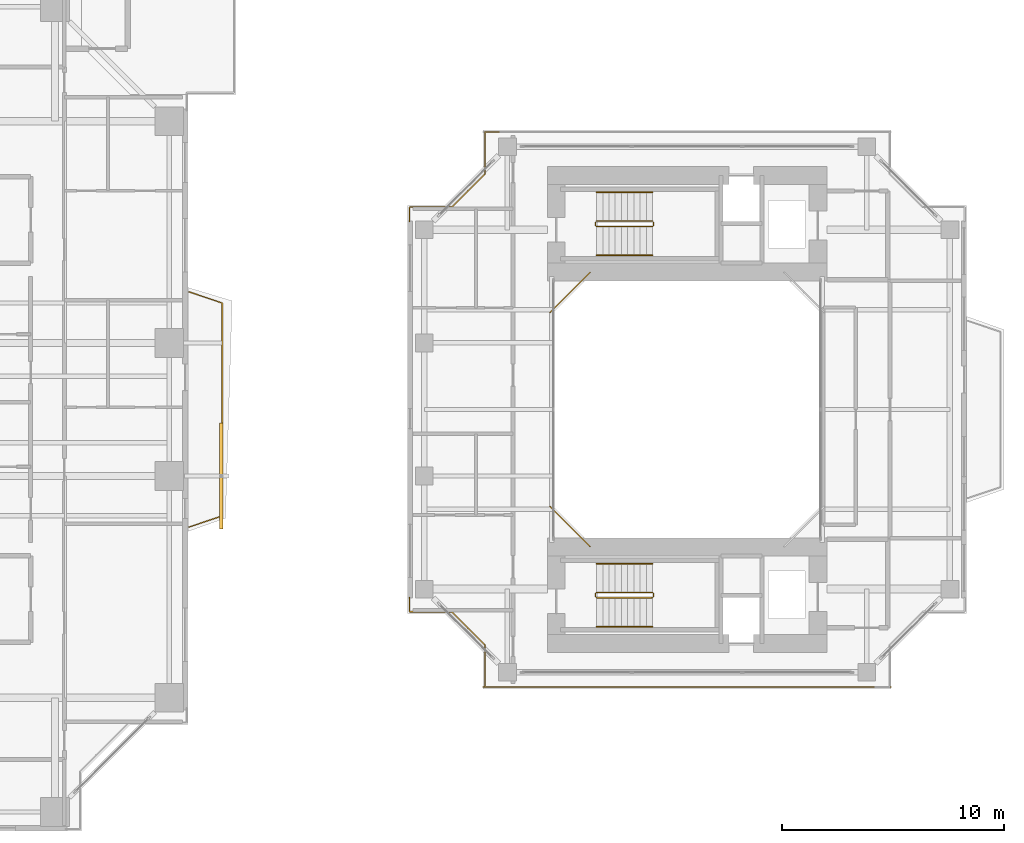
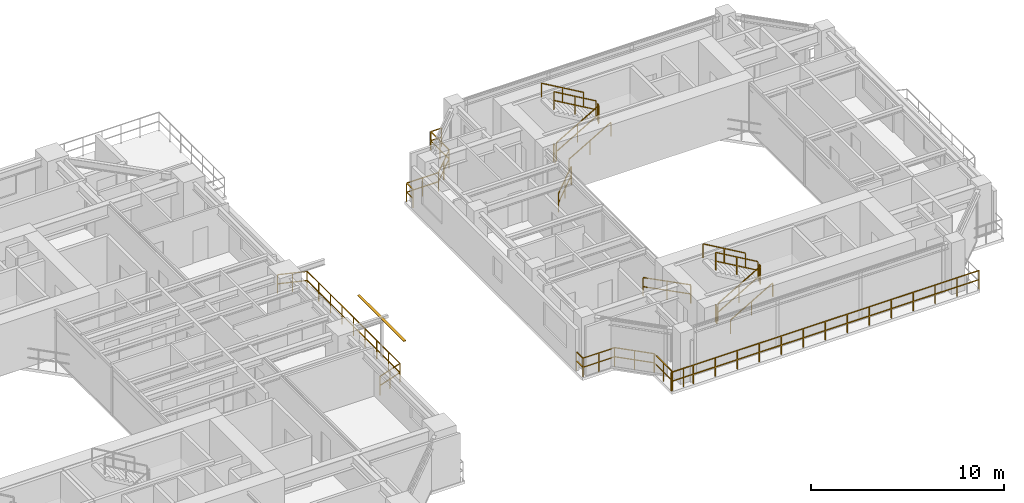
# One storey, part 21 of 23: 18 railings, 1 shading device.
"""IFC4 building model written with IfcOpenShell, lengths in metres."""

from ifc_helpers import new_model, si_unit, direction, frame, origin, origin_2d, place, context, subcontext, project, spatial, rectangle, extrude, source, transform, mapped, material, material_profile, profile_set, type_object, element, save


model = new_model("IFC4")

# Units and contexts
model_context = context("Model", 3, precision=1e-05, world=origin(), true_north=direction((0.0, 1.0)))
body_context = subcontext(model_context, "Body", "Model", "MODEL_VIEW")
ifc_project = project(units=[si_unit("LENGTHUNIT", "METRE"), si_unit("AREAUNIT", "SQUARE_METRE"), si_unit("VOLUMEUNIT", "CUBIC_METRE"), si_unit("PLANEANGLEUNIT", "RADIAN"), si_unit("MASSUNIT", "GRAM", prefix="KILO"), si_unit("THERMODYNAMICTEMPERATUREUNIT", "KELVIN"), si_unit("POWERUNIT", "WATT")], contexts=[model_context])

# Site, building, storey
site_placement = place(None, origin())
site = spatial("IfcSite", under=ifc_project, at=site_placement, CompositionType="ELEMENT")
building_placement = place(site_placement, origin())
building = spatial("IfcBuilding", under=site, at=building_placement, Name="Qiaomeng Ring Towers", CompositionType="ELEMENT")
storey_placement = place(building_placement, frame((0.0, 0.0, 82.75)))
storey = spatial("IfcBuildingStorey", under=building, at=storey_placement, Name="L23", CompositionType="ELEMENT", Elevation=82.75)

# Railings
ifc_material_1 = material(Name="Low-E pale-green laminated safety glass", Category="glass")
railing_type_1 = type_object("IfcRailingType", Name="ARC-RL-BAL1", PredefinedType="BALUSTRADE", material=ifc_material_1)
railing_1_placement = place(storey_placement, frame((38.050048828125, 17.699951171875, 0.0)))
element("IfcRailing", 1, at=railing_1_placement, inside=storey, type_object=railing_type_1, Name="L23 Balustrade ARC-BAL-L23-T1-E", PredefinedType="BALUSTRADE", context=body_context, shape_type="SweptSolid", body=[
    extrude(rectangle(XDim=0.048095703125, YDim=0.048095703125, at=origin_2d()), frame((0.0, 0.0, 1.17578125), z_axis=(0.948044476945, 0.318137815629, 0.0), x_axis=(-0.318137815629, 0.948044476945, 0.0)), (0.0, 0.0, 1.0), 1.571533203125),
    extrude(rectangle(XDim=0.048095703125, YDim=0.048095703125, at=origin_2d()), frame((0.0, 0.0, 0.60009765625), z_axis=(0.948044476945, 0.318137815629, 0.0), x_axis=(-0.318137815629, 0.948044476945, 0.0)), (0.0, 0.0, 1.0), 1.571533203125),
    extrude(rectangle(XDim=0.048095703125, YDim=0.048095703125, at=origin_2d()), frame((1.489990234375, 0.5, 1.17578125), z_axis=(0.0, 1.0, 0.0), x_axis=(-1.0, 0.0, 0.0)), (0.0, 0.0, 1.0), 9.60009765625),
    extrude(rectangle(XDim=0.048095703125, YDim=0.048095703125, at=origin_2d()), frame((1.489990234375, 0.5, 0.60009765625), z_axis=(0.0, 1.0, 0.0), x_axis=(-1.0, 0.0, 0.0)), (0.0, 0.0, 1.0), 9.60009765625),
    extrude(rectangle(XDim=0.048095703125, YDim=0.048095703125, at=origin_2d()), frame((1.489990234375, 10.10009765625, 1.17578125), z_axis=(-0.948044476945, 0.318137815629, 0.0), x_axis=(-0.318137815629, -0.948044476945, 0.0)), (0.0, 0.0, 1.0), 1.571533203125),
    extrude(rectangle(XDim=0.048095703125, YDim=0.048095703125, at=origin_2d()), frame((1.489990234375, 10.10009765625, 0.60009765625), z_axis=(-0.948044476945, 0.318137815629, 0.0), x_axis=(-0.318137815629, -0.948044476945, 0.0)), (0.0, 0.0, 1.0), 1.571533203125),
    extrude(rectangle(XDim=0.0419921875, YDim=0.0419921875, at=origin_2d()), origin(), (0.0, 0.0, 1.0), 1.15185546875),
    extrude(rectangle(XDim=0.0419921875, YDim=0.0419921875, at=origin_2d()), frame((0.7451171875, 0.25, 0.0)), (0.0, 0.0, 1.0), 1.15185546875),
    extrude(rectangle(XDim=0.0419921875, YDim=0.0419921875, at=origin_2d()), frame((1.489990234375, 0.5, 0.0)), (0.0, 0.0, 1.0), 1.15185546875),
    extrude(rectangle(XDim=0.0419921875, YDim=0.0419921875, at=origin_2d()), frame((1.489990234375, 1.699951171875, 0.0)), (0.0, 0.0, 1.0), 1.15185546875),
    extrude(rectangle(XDim=0.0419921875, YDim=0.0419921875, at=origin_2d()), frame((1.489990234375, 2.89990234375, 0.0)), (0.0, 0.0, 1.0), 1.15185546875),
    extrude(rectangle(XDim=0.0419921875, YDim=0.0419921875, at=origin_2d()), frame((1.489990234375, 4.10009765625, 0.0)), (0.0, 0.0, 1.0), 1.15185546875),
    extrude(rectangle(XDim=0.0419921875, YDim=0.0419921875, at=origin_2d()), frame((1.489990234375, 5.300048828125, 0.0)), (0.0, 0.0, 1.0), 1.15185546875),
    extrude(rectangle(XDim=0.0419921875, YDim=0.0419921875, at=origin_2d()), frame((1.489990234375, 6.5, 0.0)), (0.0, 0.0, 1.0), 1.15185546875),
    extrude(rectangle(XDim=0.0419921875, YDim=0.0419921875, at=origin_2d()), frame((1.489990234375, 7.7001953125, 0.0)), (0.0, 0.0, 1.0), 1.15185546875),
    extrude(rectangle(XDim=0.0419921875, YDim=0.0419921875, at=origin_2d()), frame((1.489990234375, 8.900146484375, 0.0)), (0.0, 0.0, 1.0), 1.15185546875),
    extrude(rectangle(XDim=0.0419921875, YDim=0.0419921875, at=origin_2d()), frame((1.489990234375, 10.10009765625, 0.0)), (0.0, 0.0, 1.0), 1.15185546875),
    extrude(rectangle(XDim=0.0419921875, YDim=0.0419921875, at=origin_2d()), frame((0.7451171875, 10.35009765625, 0.0)), (0.0, 0.0, 1.0), 1.15185546875),
    extrude(rectangle(XDim=0.0419921875, YDim=0.0419921875, at=origin_2d()), frame((0.0, 10.60009765625, 0.0)), (0.0, 0.0, 1.0), 1.15185546875),
])
railing_2_placement = place(storey_placement, frame((56.1201171875, 29.179931640625, 0.0)))
element("IfcRailing", 2, at=railing_2_placement, inside=storey, type_object=railing_type_1, Name="L23 Balustrade ARC-BAL-WELL2-L23-3", PredefinedType="BALUSTRADE", context=body_context, shape_type="SweptSolid", body=[
    extrude(rectangle(XDim=0.048095703125, YDim=0.048095703125, at=origin_2d()), frame((0.0, 0.0, 1.17578125), z_axis=(-0.707106781187, -0.707106781187, 0.0), x_axis=(0.707106781187, -0.707106781187, 0.0)), (0.0, 0.0, 1.0), 2.545654296875),
    extrude(rectangle(XDim=0.048095703125, YDim=0.048095703125, at=origin_2d()), frame((0.0, 0.0, 0.60009765625), z_axis=(-0.707106781187, -0.707106781187, 0.0), x_axis=(0.707106781187, -0.707106781187, 0.0)), (0.0, 0.0, 1.0), 2.545654296875),
    extrude(rectangle(XDim=0.0419921875, YDim=0.0419921875, at=origin_2d()), origin(), (0.0, 0.0, 1.0), 1.15185546875),
    extrude(rectangle(XDim=0.0419921875, YDim=0.0419921875, at=origin_2d()), frame((-0.89990234375, -0.89990234375, 0.0)), (0.0, 0.0, 1.0), 1.15185546875),
    extrude(rectangle(XDim=0.0419921875, YDim=0.0419921875, at=origin_2d()), frame((-1.800048828125, -1.800048828125, 0.0)), (0.0, 0.0, 1.0), 1.15185546875),
])
railing_3_placement = place(storey_placement, frame((54.320068359375, 18.6201171875, 0.0)))
element("IfcRailing", 3, at=railing_3_placement, inside=storey, type_object=railing_type_1, Name="L23 Balustrade ARC-BAL-WELL2-L23-4", PredefinedType="BALUSTRADE", context=body_context, shape_type="SweptSolid", body=[
    extrude(rectangle(XDim=0.048095703125, YDim=0.048095703125, at=origin_2d()), frame((0.0, 0.0, 1.17578125), z_axis=(0.707106781187, -0.707106781187, 0.0), x_axis=(0.707106781187, 0.707106781187, 0.0)), (0.0, 0.0, 1.0), 2.545654296875),
    extrude(rectangle(XDim=0.048095703125, YDim=0.048095703125, at=origin_2d()), frame((0.0, 0.0, 0.60009765625), z_axis=(0.707106781187, -0.707106781187, 0.0), x_axis=(0.707106781187, 0.707106781187, 0.0)), (0.0, 0.0, 1.0), 2.545654296875),
    extrude(rectangle(XDim=0.0419921875, YDim=0.0419921875, at=origin_2d()), origin(), (0.0, 0.0, 1.0), 1.15185546875),
    extrude(rectangle(XDim=0.0419921875, YDim=0.0419921875, at=origin_2d()), frame((0.89990234375, -0.89990234375, 0.0)), (0.0, 0.0, 1.0), 1.15185546875),
    extrude(rectangle(XDim=0.0419921875, YDim=0.0419921875, at=origin_2d()), frame((1.800048828125, -1.800048828125, 0.0)), (0.0, 0.0, 1.0), 1.15185546875),
])
railing_4_placement = place(storey_placement, frame((52.030029296875, 35.52001953125, 0.0)))
element("IfcRailing", 4, at=railing_4_placement, inside=storey, type_object=railing_type_1, Name="L23 Balustrade ARC-BAL-NOTCH2-L23-NW", PredefinedType="BALUSTRADE", context=body_context, shape_type="SweptSolid", body=[
    extrude(rectangle(XDim=0.048095703125, YDim=0.048095703125, at=origin_2d()), frame((0.0, 0.0, 1.17578125), z_axis=(-1.0, 0.0, 0.0), x_axis=(0.0, -1.0, 0.0)), (0.0, 0.0, 1.0), 0.650146484375),
    extrude(rectangle(XDim=0.048095703125, YDim=0.048095703125, at=origin_2d()), frame((0.0, 0.0, 0.60009765625), z_axis=(-1.0, 0.0, 0.0), x_axis=(0.0, -1.0, 0.0)), (0.0, 0.0, 1.0), 0.650146484375),
    extrude(rectangle(XDim=0.048095703125, YDim=0.048095703125, at=origin_2d()), frame((-0.650146484375, 0.0, 1.17578125), z_axis=(0.0, -1.0, 0.0), x_axis=(1.0, 0.0, 0.0)), (0.0, 0.0, 1.0), 1.89990234375),
    extrude(rectangle(XDim=0.048095703125, YDim=0.048095703125, at=origin_2d()), frame((-0.650146484375, 0.0, 0.60009765625), z_axis=(0.0, -1.0, 0.0), x_axis=(1.0, 0.0, 0.0)), (0.0, 0.0, 1.0), 1.89990234375),
    extrude(rectangle(XDim=0.048095703125, YDim=0.048095703125, at=origin_2d()), frame((-0.650146484375, -1.89990234375, 1.17578125), z_axis=(-0.707106781187, -0.707106781187, 0.0), x_axis=(0.707106781187, -0.707106781187, 0.0)), (0.0, 0.0, 1.0), 2.121337890625),
    extrude(rectangle(XDim=0.048095703125, YDim=0.048095703125, at=origin_2d()), frame((-0.650146484375, -1.89990234375, 0.60009765625), z_axis=(-0.707106781187, -0.707106781187, 0.0), x_axis=(0.707106781187, -0.707106781187, 0.0)), (0.0, 0.0, 1.0), 2.121337890625),
    extrude(rectangle(XDim=0.048095703125, YDim=0.048095703125, at=origin_2d()), frame((-2.150146484375, -3.39990234375, 1.17578125), z_axis=(-1.0, 0.0, 0.0), x_axis=(0.0, -1.0, 0.0)), (0.0, 0.0, 1.0), 1.89990234375),
    extrude(rectangle(XDim=0.048095703125, YDim=0.048095703125, at=origin_2d()), frame((-2.150146484375, -3.39990234375, 0.60009765625), z_axis=(-1.0, 0.0, 0.0), x_axis=(0.0, -1.0, 0.0)), (0.0, 0.0, 1.0), 1.89990234375),
    extrude(rectangle(XDim=0.048095703125, YDim=0.048095703125, at=origin_2d()), frame((-4.050048828125, -3.39990234375, 1.17578125), z_axis=(0.0, -1.0, 0.0), x_axis=(1.0, 0.0, 0.0)), (0.0, 0.0, 1.0), 0.650146484375),
    extrude(rectangle(XDim=0.048095703125, YDim=0.048095703125, at=origin_2d()), frame((-4.050048828125, -3.39990234375, 0.60009765625), z_axis=(0.0, -1.0, 0.0), x_axis=(1.0, 0.0, 0.0)), (0.0, 0.0, 1.0), 0.650146484375),
    extrude(rectangle(XDim=0.0419921875, YDim=0.0419921875, at=origin_2d()), origin(), (0.0, 0.0, 1.0), 1.15185546875),
    extrude(rectangle(XDim=0.0419921875, YDim=0.0419921875, at=origin_2d()), frame((-0.650146484375, 0.0, 0.0)), (0.0, 0.0, 1.0), 1.15185546875),
    extrude(rectangle(XDim=0.0419921875, YDim=0.0419921875, at=origin_2d()), frame((-0.650146484375, -0.949951171875, 0.0)), (0.0, 0.0, 1.0), 1.15185546875),
    extrude(rectangle(XDim=0.0419921875, YDim=0.0419921875, at=origin_2d()), frame((-0.650146484375, -1.89990234375, 0.0)), (0.0, 0.0, 1.0), 1.15185546875),
    extrude(rectangle(XDim=0.0419921875, YDim=0.0419921875, at=origin_2d()), frame((-1.400146484375, -2.64990234375, 0.0)), (0.0, 0.0, 1.0), 1.15185546875),
    extrude(rectangle(XDim=0.0419921875, YDim=0.0419921875, at=origin_2d()), frame((-2.150146484375, -3.39990234375, 0.0)), (0.0, 0.0, 1.0), 1.15185546875),
    extrude(rectangle(XDim=0.0419921875, YDim=0.0419921875, at=origin_2d()), frame((-3.10009765625, -3.39990234375, 0.0)), (0.0, 0.0, 1.0), 1.15185546875),
    extrude(rectangle(XDim=0.0419921875, YDim=0.0419921875, at=origin_2d()), frame((-4.050048828125, -3.39990234375, 0.0)), (0.0, 0.0, 1.0), 1.15185546875),
    extrude(rectangle(XDim=0.0419921875, YDim=0.0419921875, at=origin_2d()), frame((-4.050048828125, -4.050048828125, 0.0)), (0.0, 0.0, 1.0), 1.15185546875),
])
railing_5_placement = place(storey_placement, frame((47.97998046875, 14.530029296875, 0.0)))
element("IfcRailing", 5, at=railing_5_placement, inside=storey, type_object=railing_type_1, Name="L23 Balustrade ARC-BAL-NOTCH2-L23-SW", PredefinedType="BALUSTRADE", context=body_context, shape_type="SweptSolid", body=[
    extrude(rectangle(XDim=0.048095703125, YDim=0.048095703125, at=origin_2d()), frame((0.0, 0.0, 1.17578125), z_axis=(0.0, -1.0, 0.0), x_axis=(1.0, 0.0, 0.0)), (0.0, 0.0, 1.0), 0.650146484375),
    extrude(rectangle(XDim=0.048095703125, YDim=0.048095703125, at=origin_2d()), frame((0.0, 0.0, 0.60009765625), z_axis=(0.0, -1.0, 0.0), x_axis=(1.0, 0.0, 0.0)), (0.0, 0.0, 1.0), 0.650146484375),
    extrude(rectangle(XDim=0.048095703125, YDim=0.048095703125, at=origin_2d()), frame((0.0, -0.650146484375, 1.17578125), z_axis=(1.0, 0.0, 0.0), x_axis=(0.0, 1.0, 0.0)), (0.0, 0.0, 1.0), 1.89990234375),
    extrude(rectangle(XDim=0.048095703125, YDim=0.048095703125, at=origin_2d()), frame((0.0, -0.650146484375, 0.60009765625), z_axis=(1.0, 0.0, 0.0), x_axis=(0.0, 1.0, 0.0)), (0.0, 0.0, 1.0), 1.89990234375),
    extrude(rectangle(XDim=0.048095703125, YDim=0.048095703125, at=origin_2d()), frame((1.89990234375, -0.650146484375, 1.17578125), z_axis=(0.707106781187, -0.707106781187, 0.0), x_axis=(0.707106781187, 0.707106781187, 0.0)), (0.0, 0.0, 1.0), 2.121337890625),
    extrude(rectangle(XDim=0.048095703125, YDim=0.048095703125, at=origin_2d()), frame((1.89990234375, -0.650146484375, 0.60009765625), z_axis=(0.707106781187, -0.707106781187, 0.0), x_axis=(0.707106781187, 0.707106781187, 0.0)), (0.0, 0.0, 1.0), 2.121337890625),
    extrude(rectangle(XDim=0.048095703125, YDim=0.048095703125, at=origin_2d()), frame((3.39990234375, -2.150146484375, 1.17578125), z_axis=(0.0, -1.0, 0.0), x_axis=(1.0, 0.0, 0.0)), (0.0, 0.0, 1.0), 1.89990234375),
    extrude(rectangle(XDim=0.048095703125, YDim=0.048095703125, at=origin_2d()), frame((3.39990234375, -2.150146484375, 0.60009765625), z_axis=(0.0, -1.0, 0.0), x_axis=(1.0, 0.0, 0.0)), (0.0, 0.0, 1.0), 1.89990234375),
    extrude(rectangle(XDim=0.048095703125, YDim=0.048095703125, at=origin_2d()), frame((3.39990234375, -4.050048828125, 1.17578125), z_axis=(1.0, 0.0, 0.0), x_axis=(0.0, 1.0, 0.0)), (0.0, 0.0, 1.0), 0.650146484375),
    extrude(rectangle(XDim=0.048095703125, YDim=0.048095703125, at=origin_2d()), frame((3.39990234375, -4.050048828125, 0.60009765625), z_axis=(1.0, 0.0, 0.0), x_axis=(0.0, 1.0, 0.0)), (0.0, 0.0, 1.0), 0.650146484375),
    extrude(rectangle(XDim=0.0419921875, YDim=0.0419921875, at=origin_2d()), origin(), (0.0, 0.0, 1.0), 1.15185546875),
    extrude(rectangle(XDim=0.0419921875, YDim=0.0419921875, at=origin_2d()), frame((0.0, -0.650146484375, 0.0)), (0.0, 0.0, 1.0), 1.15185546875),
    extrude(rectangle(XDim=0.0419921875, YDim=0.0419921875, at=origin_2d()), frame((0.949951171875, -0.650146484375, 0.0)), (0.0, 0.0, 1.0), 1.15185546875),
    extrude(rectangle(XDim=0.0419921875, YDim=0.0419921875, at=origin_2d()), frame((1.89990234375, -0.650146484375, 0.0)), (0.0, 0.0, 1.0), 1.15185546875),
    extrude(rectangle(XDim=0.0419921875, YDim=0.0419921875, at=origin_2d()), frame((2.64990234375, -1.400146484375, 0.0)), (0.0, 0.0, 1.0), 1.15185546875),
    extrude(rectangle(XDim=0.0419921875, YDim=0.0419921875, at=origin_2d()), frame((3.39990234375, -2.150146484375, 0.0)), (0.0, 0.0, 1.0), 1.15185546875),
    extrude(rectangle(XDim=0.0419921875, YDim=0.0419921875, at=origin_2d()), frame((3.39990234375, -3.10009765625, 0.0)), (0.0, 0.0, 1.0), 1.15185546875),
    extrude(rectangle(XDim=0.0419921875, YDim=0.0419921875, at=origin_2d()), frame((3.39990234375, -4.050048828125, 0.0)), (0.0, 0.0, 1.0), 1.15185546875),
    extrude(rectangle(XDim=0.0419921875, YDim=0.0419921875, at=origin_2d()), frame((4.050048828125, -4.050048828125, 0.0)), (0.0, 0.0, 1.0), 1.15185546875),
])
railing_6_placement = place(storey_placement, frame((51.300048828125, 10.47998046875, 0.0)))
element("IfcRailing", 6, at=railing_6_placement, inside=storey, type_object=railing_type_1, Name="L23 Balustrade ARC-BAL-T2S-L23", PredefinedType="BALUSTRADE", context=body_context, shape_type="SweptSolid", body=[
    extrude(rectangle(XDim=0.048095703125, YDim=0.048095703125, at=origin_2d()), frame((0.0, 0.0, 1.17578125), z_axis=(1.0, 0.0, 0.0), x_axis=(0.0, 1.0, 0.0)), (0.0, 0.0, 1.0), 18.39990234375),
    extrude(rectangle(XDim=0.048095703125, YDim=0.048095703125, at=origin_2d()), frame((0.0, 0.0, 0.60009765625), z_axis=(1.0, 0.0, 0.0), x_axis=(0.0, 1.0, 0.0)), (0.0, 0.0, 1.0), 18.39990234375),
    extrude(rectangle(XDim=0.0419921875, YDim=0.0419921875, at=origin_2d()), origin(), (0.0, 0.0, 1.0), 1.15185546875),
    extrude(rectangle(XDim=0.0419921875, YDim=0.0419921875, at=origin_2d()), frame((1.314208984375, 0.0, 0.0)), (0.0, 0.0, 1.0), 1.15185546875),
    extrude(rectangle(XDim=0.0419921875, YDim=0.0419921875, at=origin_2d()), frame((2.628662109375, 0.0, 0.0)), (0.0, 0.0, 1.0), 1.15185546875),
    extrude(rectangle(XDim=0.0419921875, YDim=0.0419921875, at=origin_2d()), frame((3.94287109375, 0.0, 0.0)), (0.0, 0.0, 1.0), 1.15185546875),
    extrude(rectangle(XDim=0.0419921875, YDim=0.0419921875, at=origin_2d()), frame((5.257080078125, 0.0, 0.0)), (0.0, 0.0, 1.0), 1.15185546875),
    extrude(rectangle(XDim=0.0419921875, YDim=0.0419921875, at=origin_2d()), frame((6.5712890625, 0.0, 0.0)), (0.0, 0.0, 1.0), 1.15185546875),
    extrude(rectangle(XDim=0.0419921875, YDim=0.0419921875, at=origin_2d()), frame((7.8857421875, 0.0, 0.0)), (0.0, 0.0, 1.0), 1.15185546875),
    extrude(rectangle(XDim=0.0419921875, YDim=0.0419921875, at=origin_2d()), frame((9.199951171875, 0.0, 0.0)), (0.0, 0.0, 1.0), 1.15185546875),
    extrude(rectangle(XDim=0.0419921875, YDim=0.0419921875, at=origin_2d()), frame((10.51416015625, 0.0, 0.0)), (0.0, 0.0, 1.0), 1.15185546875),
    extrude(rectangle(XDim=0.0419921875, YDim=0.0419921875, at=origin_2d()), frame((11.82861328125, 0.0, 0.0)), (0.0, 0.0, 1.0), 1.15185546875),
    extrude(rectangle(XDim=0.0419921875, YDim=0.0419921875, at=origin_2d()), frame((13.142822265625, 0.0, 0.0)), (0.0, 0.0, 1.0), 1.15185546875),
    extrude(rectangle(XDim=0.0419921875, YDim=0.0419921875, at=origin_2d()), frame((14.45703125, 0.0, 0.0)), (0.0, 0.0, 1.0), 1.15185546875),
    extrude(rectangle(XDim=0.0419921875, YDim=0.0419921875, at=origin_2d()), frame((15.771240234375, 0.0, 0.0)), (0.0, 0.0, 1.0), 1.15185546875),
    extrude(rectangle(XDim=0.0419921875, YDim=0.0419921875, at=origin_2d()), frame((17.085693359375, 0.0, 0.0)), (0.0, 0.0, 1.0), 1.15185546875),
    extrude(rectangle(XDim=0.0419921875, YDim=0.0419921875, at=origin_2d()), frame((18.39990234375, 0.0, 0.0)), (0.0, 0.0, 1.0), 1.15185546875),
])
ifc_material_2 = material(Name="Galvanised steel", Category="steel")
railing_type_2 = type_object("IfcRailingType", Name="ARC-RL-GUARD", PredefinedType="GUARDRAIL", material=ifc_material_2)
railing_7_placement = place(storey_placement, frame((56.419921875, 31.25, 0.16259765625)))
element("IfcRailing", 7, at=railing_7_placement, inside=storey, type_object=railing_type_2, Name="L23 ST5 stair guard 1", PredefinedType="GUARDRAIL", context=body_context, shape_type="SweptSolid", body=[
    extrude(rectangle(XDim=0.048095703125, YDim=0.048095703125, at=origin_2d()), frame((0.0, 0.0, 1.1259765625), z_axis=(0.864913338283, 0.0, 0.50192122615), x_axis=(0.0, 1.0, 0.0)), (0.0, 0.0, 1.0), 2.91357421875),
    extrude(rectangle(XDim=0.048095703125, YDim=0.048095703125, at=origin_2d()), frame((0.0, 0.0, 0.574951171875), z_axis=(0.864913338283, 0.0, 0.50192122615), x_axis=(0.0, 1.0, 0.0)), (0.0, 0.0, 1.0), 2.91357421875),
    extrude(rectangle(XDim=0.0419921875, YDim=0.0419921875, at=origin_2d()), origin(), (0.0, 0.0, 1.0), 1.101806640625),
    extrude(rectangle(XDim=0.0419921875, YDim=0.0419921875, at=origin_2d()), frame((1.260009765625, 0.0, 0.731201171875)), (0.0, 0.0, 1.0), 1.101806640625),
    extrude(rectangle(XDim=0.0419921875, YDim=0.0419921875, at=origin_2d()), frame((2.52001953125, 0.0, 1.46240234375)), (0.0, 0.0, 1.0), 1.101806640625),
])
railing_8_placement = place(storey_placement, frame((58.989990234375, 31.300048828125, 1.625)))
element("IfcRailing", 8, at=railing_8_placement, inside=storey, type_object=railing_type_2, Name="L23 ST5 stair guard 2", PredefinedType="GUARDRAIL", context=body_context, shape_type="SweptSolid", body=[
    extrude(rectangle(XDim=0.048095703125, YDim=0.048095703125, at=origin_2d()), frame((0.0, 0.0, 1.1259765625), z_axis=(0.0, 1.0, 0.0), x_axis=(-1.0, 0.0, 0.0)), (0.0, 0.0, 1.0), 0.139892578125),
    extrude(rectangle(XDim=0.048095703125, YDim=0.048095703125, at=origin_2d()), frame((0.0, 0.0, 0.574951171875), z_axis=(0.0, 1.0, 0.0), x_axis=(-1.0, 0.0, 0.0)), (0.0, 0.0, 1.0), 0.139892578125),
    extrude(rectangle(XDim=0.0419921875, YDim=0.0419921875, at=origin_2d()), origin(), (0.0, 0.0, 1.0), 1.101806640625),
    extrude(rectangle(XDim=0.0419921875, YDim=0.0419921875, at=origin_2d()), frame((0.0, 0.139892578125, 0.0)), (0.0, 0.0, 1.0), 1.101806640625),
])
railing_9_placement = place(storey_placement, frame((58.93994140625, 31.489990234375, 1.78759765625)))
element("IfcRailing", 9, at=railing_9_placement, inside=storey, type_object=railing_type_2, Name="L23 ST5 stair guard 3", PredefinedType="GUARDRAIL", context=body_context, shape_type="SweptSolid", body=[
    extrude(rectangle(XDim=0.048095703125, YDim=0.048095703125, at=origin_2d()), frame((0.0, 0.0, 1.1259765625), z_axis=(-0.864913338283, 0.0, 0.50192122615), x_axis=(0.0, -1.0, 0.0)), (0.0, 0.0, 1.0), 2.91357421875),
    extrude(rectangle(XDim=0.048095703125, YDim=0.048095703125, at=origin_2d()), frame((0.0, 0.0, 0.574951171875), z_axis=(-0.864913338283, 0.0, 0.50192122615), x_axis=(0.0, -1.0, 0.0)), (0.0, 0.0, 1.0), 2.91357421875),
    extrude(rectangle(XDim=0.0419921875, YDim=0.0419921875, at=origin_2d()), origin(), (0.0, 0.0, 1.0), 1.101806640625),
    extrude(rectangle(XDim=0.0419921875, YDim=0.0419921875, at=origin_2d()), frame((-1.260009765625, 0.0, 0.731201171875)), (0.0, 0.0, 1.0), 1.101806640625),
    extrude(rectangle(XDim=0.0419921875, YDim=0.0419921875, at=origin_2d()), frame((-2.52001953125, 0.0, 1.46240234375)), (0.0, 0.0, 1.0), 1.101806640625),
])
railing_10_placement = place(storey_placement, frame((56.3701171875, 31.300048828125, 0.0)))
element("IfcRailing", 10, at=railing_10_placement, inside=storey, type_object=railing_type_2, Name="L23 ST5 stair guard 4", PredefinedType="GUARDRAIL", context=body_context, shape_type="SweptSolid", body=[
    extrude(rectangle(XDim=0.048095703125, YDim=0.048095703125, at=origin_2d()), frame((0.0, 0.0, 1.1259765625), z_axis=(0.0, 1.0, 0.0), x_axis=(-1.0, 0.0, 0.0)), (0.0, 0.0, 1.0), 0.139892578125),
    extrude(rectangle(XDim=0.048095703125, YDim=0.048095703125, at=origin_2d()), frame((0.0, 0.0, 0.574951171875), z_axis=(0.0, 1.0, 0.0), x_axis=(-1.0, 0.0, 0.0)), (0.0, 0.0, 1.0), 0.139892578125),
    extrude(rectangle(XDim=0.0419921875, YDim=0.0419921875, at=origin_2d()), origin(), (0.0, 0.0, 1.0), 1.101806640625),
    extrude(rectangle(XDim=0.0419921875, YDim=0.0419921875, at=origin_2d()), frame((0.0, 0.139892578125, 0.0)), (0.0, 0.0, 1.0), 1.101806640625),
])
railing_11_placement = place(storey_placement, frame((56.419921875, 14.510009765625, 0.16259765625)))
element("IfcRailing", 11, at=railing_11_placement, inside=storey, type_object=railing_type_2, Name="L23 ST6 stair guard 1", PredefinedType="GUARDRAIL", context=body_context, shape_type="SweptSolid", body=[
    extrude(rectangle(XDim=0.048095703125, YDim=0.048095703125, at=origin_2d()), frame((0.0, 0.0, 1.1259765625), z_axis=(0.864913338283, 0.0, 0.50192122615), x_axis=(0.0, 1.0, 0.0)), (0.0, 0.0, 1.0), 2.91357421875),
    extrude(rectangle(XDim=0.048095703125, YDim=0.048095703125, at=origin_2d()), frame((0.0, 0.0, 0.574951171875), z_axis=(0.864913338283, 0.0, 0.50192122615), x_axis=(0.0, 1.0, 0.0)), (0.0, 0.0, 1.0), 2.91357421875),
    extrude(rectangle(XDim=0.0419921875, YDim=0.0419921875, at=origin_2d()), origin(), (0.0, 0.0, 1.0), 1.101806640625),
    extrude(rectangle(XDim=0.0419921875, YDim=0.0419921875, at=origin_2d()), frame((1.260009765625, 0.0, 0.731201171875)), (0.0, 0.0, 1.0), 1.101806640625),
    extrude(rectangle(XDim=0.0419921875, YDim=0.0419921875, at=origin_2d()), frame((2.52001953125, 0.0, 1.46240234375)), (0.0, 0.0, 1.0), 1.101806640625),
])
railing_12_placement = place(storey_placement, frame((58.989990234375, 14.56005859375, 1.625)))
element("IfcRailing", 12, at=railing_12_placement, inside=storey, type_object=railing_type_2, Name="L23 ST6 stair guard 2", PredefinedType="GUARDRAIL", context=body_context, shape_type="SweptSolid", body=[
    extrude(rectangle(XDim=0.048095703125, YDim=0.048095703125, at=origin_2d()), frame((0.0, 0.0, 1.1259765625), z_axis=(0.0, 1.0, 0.0), x_axis=(-1.0, 0.0, 0.0)), (0.0, 0.0, 1.0), 0.139892578125),
    extrude(rectangle(XDim=0.048095703125, YDim=0.048095703125, at=origin_2d()), frame((0.0, 0.0, 0.574951171875), z_axis=(0.0, 1.0, 0.0), x_axis=(-1.0, 0.0, 0.0)), (0.0, 0.0, 1.0), 0.139892578125),
    extrude(rectangle(XDim=0.0419921875, YDim=0.0419921875, at=origin_2d()), origin(), (0.0, 0.0, 1.0), 1.101806640625),
    extrude(rectangle(XDim=0.0419921875, YDim=0.0419921875, at=origin_2d()), frame((0.0, 0.139892578125, 0.0)), (0.0, 0.0, 1.0), 1.101806640625),
])
railing_13_placement = place(storey_placement, frame((58.93994140625, 14.75, 1.78759765625)))
element("IfcRailing", 13, at=railing_13_placement, inside=storey, type_object=railing_type_2, Name="L23 ST6 stair guard 3", PredefinedType="GUARDRAIL", context=body_context, shape_type="SweptSolid", body=[
    extrude(rectangle(XDim=0.048095703125, YDim=0.048095703125, at=origin_2d()), frame((0.0, 0.0, 1.1259765625), z_axis=(-0.864913338283, 0.0, 0.50192122615), x_axis=(0.0, -1.0, 0.0)), (0.0, 0.0, 1.0), 2.91357421875),
    extrude(rectangle(XDim=0.048095703125, YDim=0.048095703125, at=origin_2d()), frame((0.0, 0.0, 0.574951171875), z_axis=(-0.864913338283, 0.0, 0.50192122615), x_axis=(0.0, -1.0, 0.0)), (0.0, 0.0, 1.0), 2.91357421875),
    extrude(rectangle(XDim=0.0419921875, YDim=0.0419921875, at=origin_2d()), origin(), (0.0, 0.0, 1.0), 1.101806640625),
    extrude(rectangle(XDim=0.0419921875, YDim=0.0419921875, at=origin_2d()), frame((-1.260009765625, 0.0, 0.731201171875)), (0.0, 0.0, 1.0), 1.101806640625),
    extrude(rectangle(XDim=0.0419921875, YDim=0.0419921875, at=origin_2d()), frame((-2.52001953125, 0.0, 1.46240234375)), (0.0, 0.0, 1.0), 1.101806640625),
])
railing_14_placement = place(storey_placement, frame((56.3701171875, 14.56005859375, 0.0)))
element("IfcRailing", 14, at=railing_14_placement, inside=storey, type_object=railing_type_2, Name="L23 ST6 stair guard 4", PredefinedType="GUARDRAIL", context=body_context, shape_type="SweptSolid", body=[
    extrude(rectangle(XDim=0.048095703125, YDim=0.048095703125, at=origin_2d()), frame((0.0, 0.0, 1.1259765625), z_axis=(0.0, 1.0, 0.0), x_axis=(-1.0, 0.0, 0.0)), (0.0, 0.0, 1.0), 0.139892578125),
    extrude(rectangle(XDim=0.048095703125, YDim=0.048095703125, at=origin_2d()), frame((0.0, 0.0, 0.574951171875), z_axis=(0.0, 1.0, 0.0), x_axis=(-1.0, 0.0, 0.0)), (0.0, 0.0, 1.0), 0.139892578125),
    extrude(rectangle(XDim=0.0419921875, YDim=0.0419921875, at=origin_2d()), origin(), (0.0, 0.0, 1.0), 1.101806640625),
    extrude(rectangle(XDim=0.0419921875, YDim=0.0419921875, at=origin_2d()), frame((0.0, 0.139892578125, 0.0)), (0.0, 0.0, 1.0), 1.101806640625),
])
ifc_material_3 = material(Name="Stainless steel 316", Category="steel")
railing_type_3 = type_object("IfcRailingType", Name="ARC-RL-HAND", PredefinedType="HANDRAIL", material=ifc_material_3)
railing_15_placement = place(storey_placement, frame((56.419921875, 29.949951171875, 0.16259765625)))
element("IfcRailing", 15, at=railing_15_placement, inside=storey, type_object=railing_type_3, Name="L23 ST5 stair handrail 1", PredefinedType="HANDRAIL", context=body_context, shape_type="SweptSolid", body=[
    extrude(rectangle(XDim=0.048095703125, YDim=0.048095703125, at=origin_2d()), frame((0.0, 0.0, 0.8759765625), z_axis=(0.864913338283, 0.0, 0.50192122615), x_axis=(0.0, 1.0, 0.0)), (0.0, 0.0, 1.0), 2.91357421875),
    extrude(rectangle(XDim=0.0419921875, YDim=0.0419921875, at=origin_2d()), origin(), (0.0, 0.0, 1.0), 0.851806640625),
    extrude(rectangle(XDim=0.0419921875, YDim=0.0419921875, at=origin_2d()), frame((1.260009765625, 0.0, 0.731201171875)), (0.0, 0.0, 1.0), 0.851806640625),
    extrude(rectangle(XDim=0.0419921875, YDim=0.0419921875, at=origin_2d()), frame((2.52001953125, 0.0, 1.46240234375)), (0.0, 0.0, 1.0), 0.851806640625),
])
railing_16_placement = place(storey_placement, frame((58.93994140625, 32.7900390625, 1.78759765625)))
element("IfcRailing", 16, at=railing_16_placement, inside=storey, type_object=railing_type_3, Name="L23 ST5 stair handrail 2", PredefinedType="HANDRAIL", context=body_context, shape_type="SweptSolid", body=[
    extrude(rectangle(XDim=0.048095703125, YDim=0.048095703125, at=origin_2d()), frame((0.0, 0.0, 0.8759765625), z_axis=(-0.864913338283, 0.0, 0.50192122615), x_axis=(0.0, -1.0, 0.0)), (0.0, 0.0, 1.0), 2.91357421875),
    extrude(rectangle(XDim=0.0419921875, YDim=0.0419921875, at=origin_2d()), origin(), (0.0, 0.0, 1.0), 0.851806640625),
    extrude(rectangle(XDim=0.0419921875, YDim=0.0419921875, at=origin_2d()), frame((-1.260009765625, 0.0, 0.731201171875)), (0.0, 0.0, 1.0), 0.851806640625),
    extrude(rectangle(XDim=0.0419921875, YDim=0.0419921875, at=origin_2d()), frame((-2.52001953125, 0.0, 1.46240234375)), (0.0, 0.0, 1.0), 0.851806640625),
])
railing_17_placement = place(storey_placement, frame((56.419921875, 13.2099609375, 0.16259765625)))
element("IfcRailing", 17, at=railing_17_placement, inside=storey, type_object=railing_type_3, Name="L23 ST6 stair handrail 1", PredefinedType="HANDRAIL", context=body_context, shape_type="SweptSolid", body=[
    extrude(rectangle(XDim=0.048095703125, YDim=0.048095703125, at=origin_2d()), frame((0.0, 0.0, 0.8759765625), z_axis=(0.864913338283, 0.0, 0.50192122615), x_axis=(0.0, 1.0, 0.0)), (0.0, 0.0, 1.0), 2.91357421875),
    extrude(rectangle(XDim=0.0419921875, YDim=0.0419921875, at=origin_2d()), origin(), (0.0, 0.0, 1.0), 0.851806640625),
    extrude(rectangle(XDim=0.0419921875, YDim=0.0419921875, at=origin_2d()), frame((1.260009765625, 0.0, 0.731201171875)), (0.0, 0.0, 1.0), 0.851806640625),
    extrude(rectangle(XDim=0.0419921875, YDim=0.0419921875, at=origin_2d()), frame((2.52001953125, 0.0, 1.46240234375)), (0.0, 0.0, 1.0), 0.851806640625),
])
railing_18_placement = place(storey_placement, frame((58.93994140625, 16.050048828125, 1.78759765625)))
element("IfcRailing", 18, at=railing_18_placement, inside=storey, type_object=railing_type_3, Name="L23 ST6 stair handrail 2", PredefinedType="HANDRAIL", context=body_context, shape_type="SweptSolid", body=[
    extrude(rectangle(XDim=0.048095703125, YDim=0.048095703125, at=origin_2d()), frame((0.0, 0.0, 0.8759765625), z_axis=(-0.864913338283, 0.0, 0.50192122615), x_axis=(0.0, -1.0, 0.0)), (0.0, 0.0, 1.0), 2.91357421875),
    extrude(rectangle(XDim=0.0419921875, YDim=0.0419921875, at=origin_2d()), origin(), (0.0, 0.0, 1.0), 0.851806640625),
    extrude(rectangle(XDim=0.0419921875, YDim=0.0419921875, at=origin_2d()), frame((-1.260009765625, 0.0, 0.731201171875)), (0.0, 0.0, 1.0), 0.851806640625),
    extrude(rectangle(XDim=0.0419921875, YDim=0.0419921875, at=origin_2d()), frame((-2.52001953125, 0.0, 1.46240234375)), (0.0, 0.0, 1.0), 0.851806640625),
])

# Shading device
ifc_material_4 = material(Name="Fluorocarbon dark-grey aluminium", Category="aluminium")
ifc_material_profile = material_profile(ifc_material_4, rectangle(XDim=0.14990234375, YDim=0.034912109375, at=origin_2d()), Name="LV BLADE 150x35")
ifc_profile_set = profile_set([ifc_material_profile], Name="Fluorocarbon dark-grey aluminium")
shading_device_type = type_object("IfcShadingDeviceType", Name="ARC-SHD-SUN", PredefinedType="AWNING", material=ifc_profile_set)
shared_shape = source(origin(), body_context, "Body", "SweptSolid", [
    extrude(rectangle(XDim=0.14990234375, YDim=0.034912109375, at=origin_2d()), origin(), (0.0, 0.0, 1.0), 4.7998046875),
])
shading_device_placement = place(storey_placement, frame((39.489990234375, 17.60009765625, 2.969970703125), z_axis=(0.0, 1.0, 0.0), x_axis=(-1.0, 0.0, 0.0)))
element("IfcShadingDevice", 19, at=shading_device_placement, inside=storey, type_object=shading_device_type, Name="L23 Ventilated Outer-Skin Sunshade E", PredefinedType="AWNING", context=body_context, shape_type="MappedRepresentation", body=[
    mapped(shared_shape, transform((0.0, 0.0, 0.0), x_axis=(1.0, 0.0, 0.0), y_axis=(0.0, 1.0, 0.0), z_axis=(0.0, 0.0, 1.0), scale=1.0)),
])

save(model, "model.ifc")
